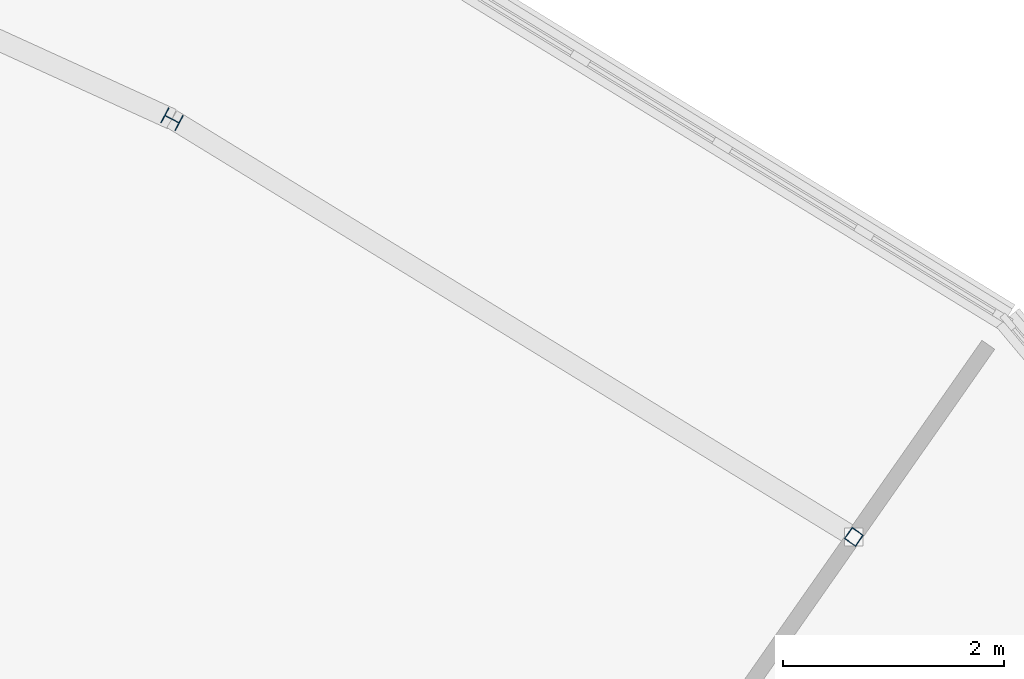
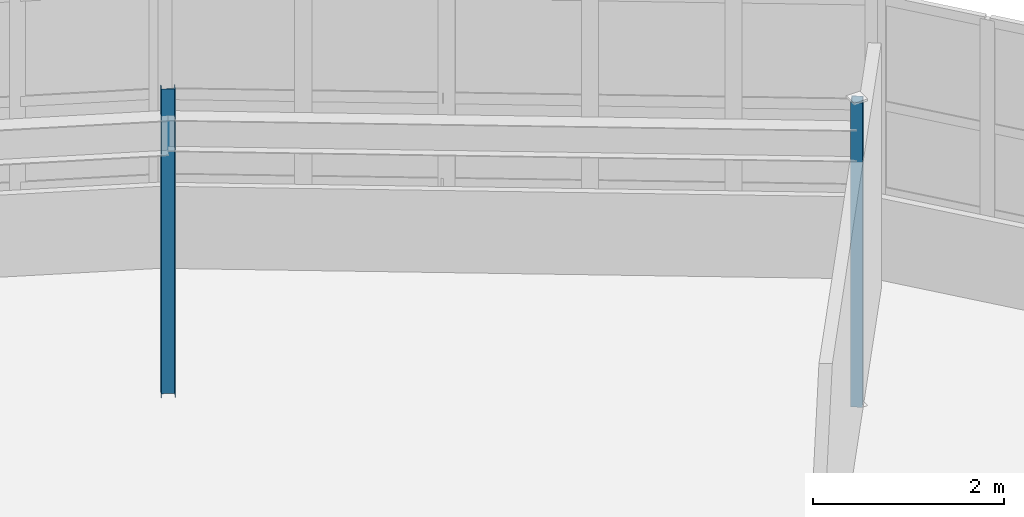
# One storey, part 12 of 65: 2 columns.
"""IFC4 building model written with IfcOpenShell, lengths in metres."""

from ifc_helpers import new_model, si_unit, direction, frame, origin, origin_2d, place, context, subcontext, project, spatial, hollow_rectangle, i_section, extrude, material, material_profile, profile_set, type_object, element, save


model = new_model("IFC4")

# Units and contexts
model_context = context("Model", 3, precision=1e-05, world=origin(), true_north=direction((0.0, 1.0)))
body_context = subcontext(model_context, "Body", "Model", "MODEL_VIEW")
ifc_project = project(units=[si_unit("LENGTHUNIT", "METRE"), si_unit("AREAUNIT", "SQUARE_METRE"), si_unit("VOLUMEUNIT", "CUBIC_METRE"), si_unit("PLANEANGLEUNIT", "RADIAN"), si_unit("MASSUNIT", "GRAM", prefix="KILO")], contexts=[model_context])

# Site, building, storey
site_placement = place(None, origin())
site = spatial("IfcSite", under=ifc_project, at=site_placement, CompositionType="ELEMENT")
building_placement = place(site_placement, origin())
building = spatial("IfcBuilding", under=site, at=building_placement, Name="Tarnwether General Hospital", CompositionType="ELEMENT")
storey_placement = place(building_placement, frame((0.0, 0.0, 22.199951171875)))
storey = spatial("IfcBuildingStorey", under=building, at=storey_placement, Name="L05", CompositionType="ELEMENT", Elevation=22.199951171875)

# Columns
ifc_material_1 = material(Name="Steel Grade 350 (350 MPa)", Category="steel")
ifc_material_profile_1 = material_profile(ifc_material_1, i_section(OverallWidth=0.152099609375, OverallDepth=0.152099609375, WebThickness=0.006103515625, FlangeThickness=0.0068359375, at=origin_2d()), Name="150UC23.4")
ifc_profile_set_1 = profile_set([ifc_material_profile_1], Name="Steel Grade 350 (350 MPa)")
column_type_1 = type_object("IfcColumnType", Name="COL-32", PredefinedType="COLUMN", material=ifc_profile_set_1)
column_1_placement = place(storey_placement, frame((119.79296875, 115.27001953125, 0.0), z_axis=(0.0, 0.0, 1.0), x_axis=(0.469471562786, 0.882947592859, 0.0)))
element("IfcColumn", 1, at=column_1_placement, inside=storey, type_object=column_type_1, Name="Column COLG-L05-11979_11527", PredefinedType="COLUMN", context=body_context, shape_type="SweptSolid", body=[
    extrude(i_section(OverallWidth=0.152099609375, OverallDepth=0.152099609375, WebThickness=0.006103515625, FlangeThickness=0.0068359375, at=origin_2d()), origin(), (0.0, 0.0, 1.0), 3.900146484375),
])
ifc_material_2 = material(Name="Steel Grade C350L0 (350 MPa)", Category="steel")
ifc_material_profile_2 = material_profile(ifc_material_2, hollow_rectangle(XDim=0.125, YDim=0.125, WallThickness=0.006103515625, at=origin_2d()), Name="SHS125x125x6")
ifc_profile_set_2 = profile_set([ifc_material_profile_2], Name="Steel Grade C350L0 (350 MPa)")
column_type_2 = type_object("IfcColumnType", Name="COL-34", PredefinedType="COLUMN", material=ifc_profile_set_2)
column_2_placement = place(storey_placement, frame((125.9560546875, 111.493896484375, 0.0), z_axis=(0.0, 0.0, 1.0), x_axis=(0.573576436351, 0.819152044289, 0.0)))
element("IfcColumn", 2, at=column_2_placement, inside=storey, type_object=column_type_2, Name="Column COLG-L05-12596_11149", PredefinedType="COLUMN", context=body_context, shape_type="SweptSolid", body=[
    extrude(hollow_rectangle(XDim=0.125, YDim=0.125, WallThickness=0.006103515625, at=origin_2d()), origin(), (0.0, 0.0, 1.0), 3.900146484375),
])

save(model, "model.ifc")
